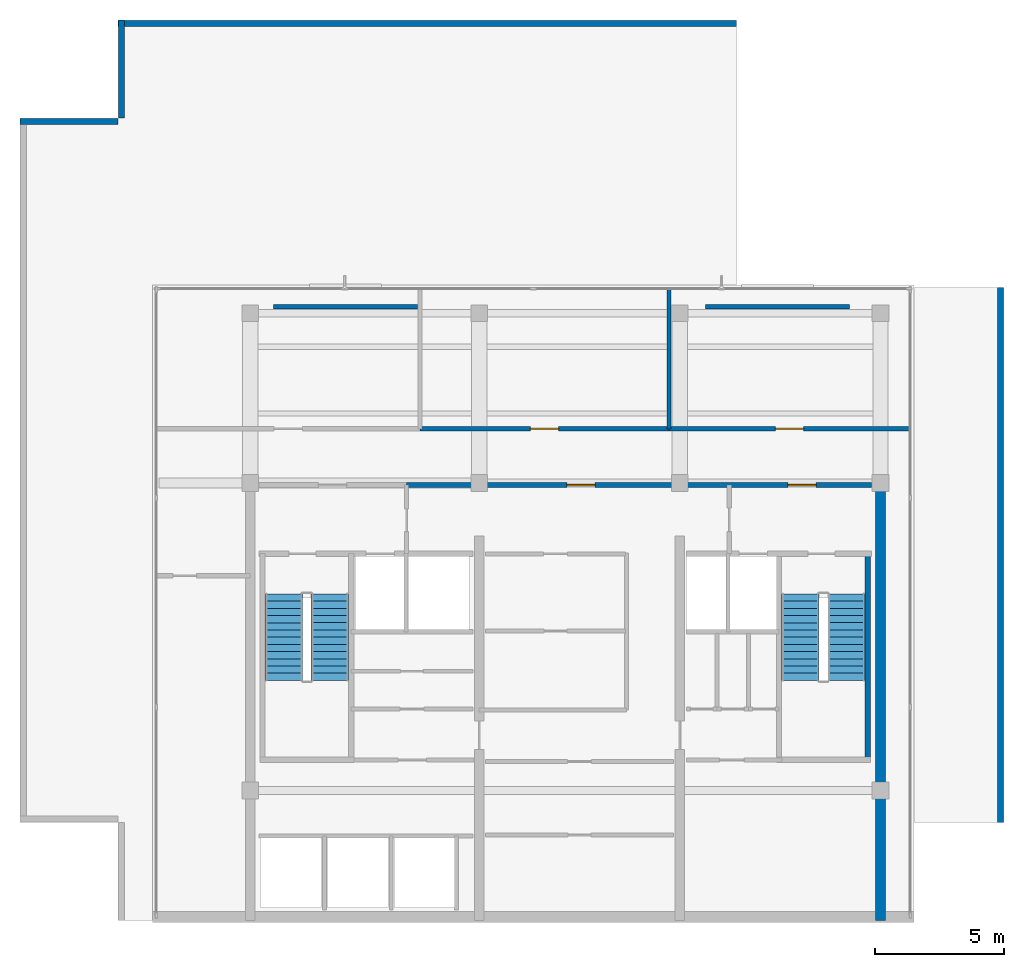
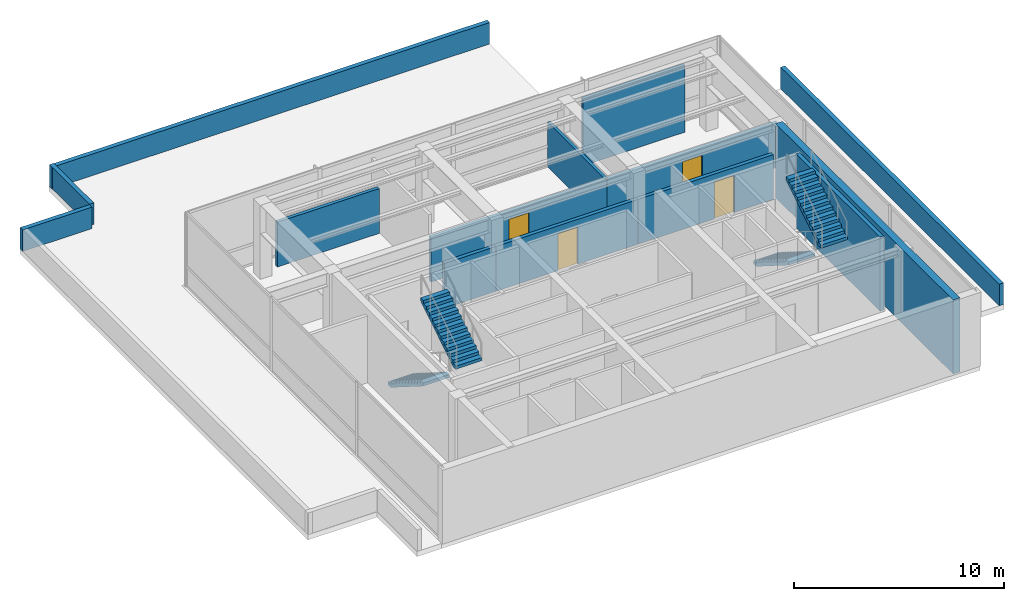
# One storey, part 4 of 6: 14 walls, 4 doors, 4 stair flights, 4 openings, 2 elements without a shape of their own.
"""IFC4 building model written with IfcOpenShell, lengths in metres."""

from ifc_helpers import new_model, si_unit, direction, frame, frame_2d, origin, place, context, subcontext, project, spatial, polyline, rectangle, outline, extrude, material, layer, layer_set, type_object, element, fill, aggregate, save


model = new_model("IFC4")

# Units and contexts
model_context = context("Model", 3, precision=1e-05, world=origin(), true_north=direction((0.0, 1.0)))
body_context = subcontext(model_context, "Body", "Model", "MODEL_VIEW")
ifc_project = project(units=[si_unit("LENGTHUNIT", "METRE"), si_unit("AREAUNIT", "SQUARE_METRE"), si_unit("VOLUMEUNIT", "CUBIC_METRE"), si_unit("PLANEANGLEUNIT", "RADIAN"), si_unit("MASSUNIT", "GRAM", prefix="KILO")], contexts=[model_context])

# Site, building, storey
site_placement = place(None, origin())
site = spatial("IfcSite", under=ifc_project, at=site_placement, CompositionType="ELEMENT")
building_placement = place(site_placement, origin())
building = spatial("IfcBuilding", under=site, at=building_placement, Name="Qalmaran Belvedere Hotel", CompositionType="ELEMENT")
storey_placement = place(building_placement, frame((0.0, 0.0, 298.699951171875)))
storey = spatial("IfcBuildingStorey", under=building, at=storey_placement, Name="C01", CompositionType="ELEMENT", Elevation=298.699951171875)

# Walls
ifc_material_1 = material(Name="Concrete C50/60", Category="concrete")
ifc_layer_1 = layer(ifc_material_1, 0.3798828125, Name="Concrete C50/60")
ifc_layer_set_1 = layer_set([ifc_layer_1], Name="Concrete C50/60")
wall_type_1 = type_object("IfcWallType", Name="WL-CORE-380-C50", PredefinedType="SHEAR", material=ifc_layer_set_1)
wall_1_placement = place(storey_placement, frame((44.800048828125, 3.5, 0.0), z_axis=(0.0, 0.0, 1.0), x_axis=(0.0, 1.0, 0.0)))
element("IfcWall", 1, at=wall_1_placement, inside=storey, type_object=wall_type_1, Name="C01 East Core Shear Wall", PredefinedType="SHEAR", context=body_context, shape_type="SweptSolid", body=[
    extrude(rectangle(XDim=16.89990234375, YDim=0.3798828125, at=frame_2d((8.449951171875, 0.0))), origin(), (0.0, 0.0, 1.0), 4.300048828125),
])
ifc_material_2 = material(Name="Anodised Bronze Cladding")
ifc_layer_2 = layer(ifc_material_2, 0.18505859375, Name="Anodised Bronze Cladding")
ifc_layer_set_2 = layer_set([ifc_layer_2], Name="Anodised Bronze Cladding")
wall_type_2 = type_object("IfcWallType", Name="WL-CRN-SCRN-185", PredefinedType="ELEMENTEDWALL", material=ifc_layer_set_2)
wall_2_placement = place(storey_placement, frame((21.199951171875, 27.35009765625, 0.0), z_axis=(0.0, 0.0, 1.0), x_axis=(1.0, 0.0, 0.0)))
element("IfcWall", 2, at=wall_2_placement, inside=storey, type_object=wall_type_2, Name="C01 Crown Acoustic Screen N1", PredefinedType="ELEMENTEDWALL", context=body_context, shape_type="SweptSolid", body=[
    extrude(rectangle(XDim=5.60009765625, YDim=0.18505859375, at=frame_2d((2.800048828125, 0.0))), origin(), (0.0, 0.0, 1.0), 2.60498046875),
])
wall_3_placement = place(storey_placement, frame((38.0, 27.35009765625, 0.0), z_axis=(0.0, 0.0, 1.0), x_axis=(1.0, 0.0, 0.0)))
element("IfcWall", 3, at=wall_3_placement, inside=storey, type_object=wall_type_2, Name="C01 Crown Acoustic Screen N2", PredefinedType="ELEMENTEDWALL", context=body_context, shape_type="SweptSolid", body=[
    extrude(rectangle(XDim=5.60009765625, YDim=0.18505859375, at=frame_2d((2.800048828125, 0.0))), origin(), (0.0, 0.0, 1.0), 3.885009765625),
])
ifc_material_3 = material(Name="Gypsum Stud Partition")
ifc_layer_3 = layer(ifc_material_3, 0.159912109375, Name="Gypsum Stud Partition")
ifc_layer_set_3 = layer_set([ifc_layer_3], Name="Gypsum Stud Partition")
wall_type_3 = type_object("IfcWallType", Name="WL-INT-160-EI120", PredefinedType="PARTITIONING", material=ifc_layer_set_3)
wall_4_placement = place(storey_placement, frame((36.573974609375, 22.610107421875, 0.0), z_axis=(0.0, 0.0, 1.0), x_axis=(0.0, 1.0, 0.0)))
element("IfcWall", 4, at=wall_4_placement, inside=storey, type_object=wall_type_3, Name="C01 Partition WL-C01-CV2", PredefinedType="PARTITIONING", context=body_context, shape_type="SweptSolid", body=[
    extrude(rectangle(XDim=5.43994140625, YDim=0.159912109375, at=frame_2d((2.719970703125, 0.0))), origin(), (0.0, 0.0, 1.0), 2.60498046875),
])

# Wall, opening, door
ifc_layer_4 = layer(ifc_material_3, 0.179931640625, Name="Gypsum Stud Partition")
ifc_layer_set_4 = layer_set([ifc_layer_4], Name="Gypsum Stud Partition")
wall_type_4 = type_object("IfcWallType", Name="WL-INT-180-EI120", PredefinedType="PARTITIONING", material=ifc_layer_set_4)
wall_5_placement = place(storey_placement, frame((26.905029296875, 22.610107421875, 0.0), z_axis=(0.0, 0.0, 1.0), x_axis=(1.0, 0.0, 0.0)))
wall_5 = element("IfcWall", 5, at=wall_5_placement, inside=storey, type_object=wall_type_4, Name="C01 Partition WL-C01-CCN2", PredefinedType="PARTITIONING", context=body_context, shape_type="SweptSolid", body=[
    extrude(rectangle(XDim=9.6689453125, YDim=0.179931640625, at=frame_2d((4.83447265625, 0.0))), origin(), (0.0, 0.0, 1.0), 2.60498046875),
])
opening_1_placement = place(wall_5_placement, frame((4.284423828125, 0.0, 0.0)))
opening_1 = element("IfcOpeningElement", 6, at=opening_1_placement, cuts=wall_5, Name="Opening FD90", PredefinedType="OPENING", context=body_context, shape_type="SweptSolid", body=[
    extrude(rectangle(XDim=1.10009765625, YDim=2.14990234375, at=frame_2d((0.550048828125, 1.074951171875))), frame((0.0, 0.10009765625, 0.0), z_axis=(0.0, -1.0, 0.0), x_axis=(1.0, 0.0, 0.0)), (0.0, 0.0, 1.0), 0.199951171875),
])
ifc_material_4 = material(Name="Steel S355JR", Category="steel")
door_type = type_object("IfcDoorType", Name="DR-FD90-1100X2150", OperationType="NOTDEFINED", PredefinedType="DOOR", material=ifc_material_4)
door_1_placement = place(opening_1_placement, origin())
door_1 = element("IfcDoor", 7, at=door_1_placement, inside=storey, type_object=door_type, Name="C01 Smoke Extract and AHU Plant Room Door", OperationType="SINGLE_SWING_LEFT", OverallHeight=2.14990234375, OverallWidth=1.10009765625, PredefinedType="DOOR", context=body_context, shape_type="SweptSolid", body=[
    extrude(rectangle(XDim=1.10009765625, YDim=2.14990234375, at=frame_2d((0.550048828125, 1.074951171875))), frame((0.0, 0.02490234375, 0.0), z_axis=(0.0, -1.0, 0.0), x_axis=(1.0, 0.0, 0.0)), (0.0, 0.0, 1.0), 0.050048828125),
])
fill(opening_1, door_1)

wall_6_placement = place(storey_placement, frame((36.573974609375, 22.610107421875, 0.0), z_axis=(0.0, 0.0, 1.0), x_axis=(1.0, 0.0, 0.0)))
wall_6 = element("IfcWall", 8, at=wall_6_placement, inside=storey, type_object=wall_type_4, Name="C01 Partition WL-C01-CCN3", PredefinedType="PARTITIONING", context=body_context, shape_type="SweptSolid", body=[
    extrude(rectangle(XDim=9.3759765625, YDim=0.179931640625, at=frame_2d((4.68798828125, 0.0))), origin(), (0.0, 0.0, 1.0), 2.60498046875),
])
opening_2_placement = place(wall_6_placement, frame((4.137939453125, 0.0, 0.0)))
opening_2 = element("IfcOpeningElement", 9, at=opening_2_placement, cuts=wall_6, Name="Opening FD90", PredefinedType="OPENING", context=body_context, shape_type="SweptSolid", body=[
    extrude(rectangle(XDim=1.10009765625, YDim=2.14990234375, at=frame_2d((0.550048828125, 1.074951171875))), frame((0.0, 0.10009765625, 0.0), z_axis=(0.0, -1.0, 0.0), x_axis=(1.0, 0.0, 0.0)), (0.0, 0.0, 1.0), 0.199951171875),
])
door_2_placement = place(opening_2_placement, origin())
door_2 = element("IfcDoor", 10, at=door_2_placement, inside=storey, type_object=door_type, Name="C01 BMU and Break Tank Plant Room Door", OperationType="SINGLE_SWING_RIGHT", OverallHeight=2.14990234375, OverallWidth=1.10009765625, PredefinedType="DOOR", context=body_context, shape_type="SweptSolid", body=[
    extrude(rectangle(XDim=1.10009765625, YDim=2.14990234375, at=frame_2d((0.550048828125, 1.074951171875))), frame((0.0, 0.02490234375, 0.0), z_axis=(0.0, -1.0, 0.0), x_axis=(1.0, 0.0, 0.0)), (0.0, 0.0, 1.0), 0.050048828125),
])
fill(opening_2, door_2)

# Wall
ifc_material_5 = material(Name="Concrete C30/37 Blockwork", Category="masonry")
ifc_layer_5 = layer(ifc_material_5, 0.199951171875, Name="Concrete C30/37 Blockwork")
ifc_layer_set_5 = layer_set([ifc_layer_5], Name="Concrete C30/37 Blockwork")
wall_type_5 = type_object("IfcWallType", Name="WL-INT-200-EI120", PredefinedType="PARTITIONING", material=ifc_layer_set_5)
wall_7_placement = place(storey_placement, frame((26.3798828125, 20.419921875, 0.0), z_axis=(0.0, 0.0, 1.0), x_axis=(1.0, 0.0, 0.0)))
element("IfcWall", 11, at=wall_7_placement, inside=storey, type_object=wall_type_5, Name="C01 Partition WL-CN1B-C01", PredefinedType="PARTITIONING", context=body_context, shape_type="SweptSolid", body=[
    extrude(rectangle(XDim=2.820068359375, YDim=0.199951171875, at=frame_2d((1.41015625, 0.0))), origin(), (0.0, 0.0, 1.0), 2.60498046875),
])

# Wall, opening, door
wall_8_placement = place(storey_placement, frame((29.199951171875, 20.419921875, 0.0), z_axis=(0.0, 0.0, 1.0), x_axis=(1.0, 0.0, 0.0)))
wall_8 = element("IfcWall", 12, at=wall_8_placement, inside=storey, type_object=wall_type_5, Name="C01 Partition WL-CN2-C01", PredefinedType="PARTITIONING", context=body_context, shape_type="SweptSolid", body=[
    extrude(rectangle(XDim=7.800048828125, YDim=0.199951171875, at=frame_2d((3.89990234375, 0.0))), origin(), (0.0, 0.0, 1.0), 2.60498046875),
])
opening_3_placement = place(wall_8_placement, frame((3.4091796875, 0.0, 0.0)))
opening_3 = element("IfcOpeningElement", 13, at=opening_3_placement, cuts=wall_8, Name="Opening FD90", PredefinedType="OPENING", context=body_context, shape_type="SweptSolid", body=[
    extrude(rectangle(XDim=1.10009765625, YDim=2.14990234375, at=frame_2d((0.550048828125, 1.074951171875))), frame((0.0, 0.10986328125, 0.0), z_axis=(0.0, -1.0, 0.0), x_axis=(1.0, 0.0, 0.0)), (0.0, 0.0, 1.0), 0.219970703125),
])
door_3_placement = place(opening_3_placement, origin())
door_3 = element("IfcDoor", 14, at=door_3_placement, inside=storey, type_object=door_type, Name="C01 Central Lift Lobby Door", OperationType="SINGLE_SWING_LEFT", OverallHeight=2.14990234375, OverallWidth=1.10009765625, PredefinedType="DOOR", context=body_context, shape_type="SweptSolid", body=[
    extrude(rectangle(XDim=1.10009765625, YDim=2.14990234375, at=frame_2d((0.550048828125, 1.074951171875))), frame((0.0, 0.02490234375, 0.0), z_axis=(0.0, -1.0, 0.0), x_axis=(1.0, 0.0, 0.0)), (0.0, 0.0, 1.0), 0.050048828125),
])
fill(opening_3, door_3)

wall_9_placement = place(storey_placement, frame((37.0, 20.419921875, 0.0), z_axis=(0.0, 0.0, 1.0), x_axis=(1.0, 0.0, 0.0)))
wall_9 = element("IfcWall", 15, at=wall_9_placement, inside=storey, type_object=wall_type_5, Name="C01 Partition WL-CN3-C01", PredefinedType="PARTITIONING", context=body_context, shape_type="SweptSolid", body=[
    extrude(rectangle(XDim=7.449951171875, YDim=0.199951171875, at=frame_2d((3.72509765625, 0.0))), origin(), (0.0, 0.0, 1.0), 2.60498046875),
])
opening_4_placement = place(wall_9_placement, frame((4.199951171875, 0.0, 0.0)))
opening_4 = element("IfcOpeningElement", 16, at=opening_4_placement, cuts=wall_9, Name="Opening FD90", PredefinedType="OPENING", context=body_context, shape_type="SweptSolid", body=[
    extrude(rectangle(XDim=1.10009765625, YDim=2.14990234375, at=frame_2d((0.550048828125, 1.074951171875))), frame((0.0, 0.10986328125, 0.0), z_axis=(0.0, -1.0, 0.0), x_axis=(1.0, 0.0, 0.0)), (0.0, 0.0, 1.0), 0.219970703125),
])
door_4_placement = place(opening_4_placement, origin())
door_4 = element("IfcDoor", 17, at=door_4_placement, inside=storey, type_object=door_type, Name="C01 FF2 Lobby Corridor Door", OperationType="SINGLE_SWING_RIGHT", OverallHeight=2.14990234375, OverallWidth=1.10009765625, PredefinedType="DOOR", context=body_context, shape_type="SweptSolid", body=[
    extrude(rectangle(XDim=1.10009765625, YDim=2.14990234375, at=frame_2d((0.550048828125, 1.074951171875))), frame((0.0, 0.02490234375, 0.0), z_axis=(0.0, -1.0, 0.0), x_axis=(1.0, 0.0, 0.0)), (0.0, 0.0, 1.0), 0.050048828125),
])
fill(opening_4, door_4)

# Walls
ifc_material_6 = material(Name="Concrete C40/50", Category="concrete")
ifc_layer_6 = layer(ifc_material_6, 0.239990234375, Name="Concrete C40/50")
ifc_layer_set_6 = layer_set([ifc_layer_6], Name="Concrete C40/50")
wall_type_6 = type_object("IfcWallType", Name="WL-PARAPET-240", PredefinedType="PARAPET", material=ifc_layer_set_6)
wall_10_placement = place(storey_placement, frame((49.4599609375, 7.300048828125, 0.0), z_axis=(0.0, 0.0, 1.0), x_axis=(0.0, 1.0, 0.0)))
element("IfcWall", 18, at=wall_10_placement, inside=storey, type_object=wall_type_6, Name="C01 Roof Parapet 4", PredefinedType="PARAPET", context=body_context, shape_type="SweptSolid", body=[
    extrude(rectangle(XDim=20.800048828125, YDim=0.239990234375, at=frame_2d((10.39990234375, 0.0))), origin(), (0.0, 0.0, 1.0), 1.25),
])
wall_11_placement = place(storey_placement, frame((39.199951171875, 38.360107421875, 0.0), z_axis=(0.0, 0.0, 1.0), x_axis=(-1.0, 0.0, 0.0)))
element("IfcWall", 19, at=wall_11_placement, inside=storey, type_object=wall_type_6, Name="C01 Roof Parapet 7", PredefinedType="PARAPET", context=body_context, shape_type="SweptSolid", body=[
    extrude(rectangle(XDim=24.050048828125, YDim=0.239990234375, at=frame_2d((12.02490234375, 0.0))), origin(), (0.0, 0.0, 1.0), 1.25),
])
wall_12_placement = place(storey_placement, frame((15.2900390625, 38.5, 0.0), z_axis=(0.0, 0.0, 1.0), x_axis=(0.0, -1.0, 0.0)))
element("IfcWall", 20, at=wall_12_placement, inside=storey, type_object=wall_type_6, Name="C01 Roof Parapet 8", PredefinedType="PARAPET", context=body_context, shape_type="SweptSolid", body=[
    extrude(rectangle(XDim=3.800048828125, YDim=0.239990234375, at=frame_2d((1.89990234375, 0.0))), origin(), (0.0, 0.0, 1.0), 1.25),
])
wall_13_placement = place(storey_placement, frame((15.14990234375, 34.56005859375, 0.0), z_axis=(0.0, 0.0, 1.0), x_axis=(-1.0, 0.0, 0.0)))
element("IfcWall", 21, at=wall_13_placement, inside=storey, type_object=wall_type_6, Name="C01 Roof Parapet 9", PredefinedType="PARAPET", context=body_context, shape_type="SweptSolid", body=[
    extrude(rectangle(XDim=3.7998046875, YDim=0.239990234375, at=frame_2d((1.89990234375, 0.0))), origin(), (0.0, 0.0, 1.0), 1.25),
])
ifc_layer_7 = layer(ifc_material_1, 0.2099609375, Name="Concrete C50/60")
ifc_layer_set_7 = layer_set([ifc_layer_7], Name="Concrete C50/60")
wall_type_7 = type_object("IfcWallType", Name="WL-STAIR-210-C50", PredefinedType="SHEAR", material=ifc_layer_set_7)
wall_14_placement = place(storey_placement, frame((44.304931640625, 9.7451171875, 0.0), z_axis=(0.0, 0.0, 1.0), x_axis=(0.0, 1.0, 0.0)))
element("IfcWall", 22, at=wall_14_placement, inside=storey, type_object=wall_type_7, Name="C01 Stair ST-2 East Bearing Wall", PredefinedType="SHEAR", context=body_context, shape_type="SweptSolid", body=[
    extrude(rectangle(XDim=8.009765625, YDim=0.2099609375, at=frame_2d((4.0048828125, 0.0))), origin(), (0.0, 0.0, 1.0), 4.300048828125),
])

# Stair, stair flights
stair_type_1 = type_object("IfcStairType", Name="STR-ST-1-1450-R1769", PredefinedType="HALF_TURN_STAIR", material=ifc_material_6)
stair_1_placement = place(storey_placement, origin())
stair_1 = element("IfcStair", 23, at=stair_1_placement, inside=storey, type_object=stair_type_1, Name="C01 West Core Exit Stair ST-1", PredefinedType="HALF_TURN_STAIR")
ifc_layer_8 = layer(ifc_material_6, 0.14990234375, Name="Concrete C40/50")
ifc_layer_set_8 = layer_set([ifc_layer_8], Name="Concrete C40/50")
stair_flight_type_1 = type_object("IfcStairFlightType", Name="STF-ST-1-1450-R1769", PredefinedType="STRAIGHT", material=ifc_layer_set_8)
stair_flight_1_placement = place(storey_placement, frame((21.60498046875, 16.18994140625, 0.0), z_axis=(0.0, 0.0, 1.0), x_axis=(0.0, -1.0, 0.0)))
stair_flight_1 = element("IfcStairFlight", 24, at=stair_flight_1_placement, type_object=stair_flight_type_1, Name="ST-1 flight 1", NumberOfRisers=13, NumberOfTreads=12, PredefinedType="STRAIGHT", RiserHeight=0.176923077, TreadLength=0.28, context=body_context, shape_type="SweptSolid", body=[
    extrude(outline(polyline([(0.0, 0.0), (0.0, 0.177001953125), (0.280029296875, 0.177001953125), (0.280029296875, 0.353759765625), (0.56005859375, 0.353759765625), (0.56005859375, 0.53076171875), (0.840087890625, 0.53076171875), (0.840087890625, 0.707763671875), (1.1201171875, 0.707763671875), (1.1201171875, 0.884521484375), (1.39990234375, 0.884521484375), (1.39990234375, 1.0615234375), (1.679931640625, 1.0615234375), (1.679931640625, 1.238525390625), (1.9599609375, 1.238525390625), (1.9599609375, 1.415283203125), (2.239990234375, 1.415283203125), (2.239990234375, 1.59228515625), (2.52001953125, 1.59228515625), (2.52001953125, 1.769287109375), (2.800048828125, 1.769287109375), (2.800048828125, 1.946044921875), (3.080078125, 1.946044921875), (3.080078125, 2.123046875), (3.360107421875, 2.123046875), (3.360107421875, 2.300048828125), (3.360107421875, 1.94580078125), (0.280517578125, 0.0), (0.0, 0.0)])), frame((0.0, 0.72509765625, 0.0), z_axis=(0.0, -1.0, 0.0), x_axis=(1.0, 0.0, 0.0)), (0.0, 0.0, 1.0), 1.449951171875),
])
stair_flight_2_placement = place(storey_placement, frame((23.39501953125, 12.830078125, 2.300048828125), z_axis=(0.0, 0.0, 1.0), x_axis=(0.0, 1.0, 0.0)))
stair_flight_2 = element("IfcStairFlight", 25, at=stair_flight_2_placement, type_object=stair_flight_type_1, Name="ST-1 flight 2", NumberOfRisers=13, NumberOfTreads=12, PredefinedType="STRAIGHT", RiserHeight=0.176923077, TreadLength=0.28, context=body_context, shape_type="SweptSolid", body=[
    extrude(outline(polyline([(0.0, 0.0), (0.0, 0.177001953125), (0.280029296875, 0.177001953125), (0.280029296875, 0.353759765625), (0.56005859375, 0.353759765625), (0.56005859375, 0.53076171875), (0.840087890625, 0.53076171875), (0.840087890625, 0.707763671875), (1.1201171875, 0.707763671875), (1.1201171875, 0.884521484375), (1.39990234375, 0.884521484375), (1.39990234375, 1.0615234375), (1.679931640625, 1.0615234375), (1.679931640625, 1.238525390625), (1.9599609375, 1.238525390625), (1.9599609375, 1.415283203125), (2.239990234375, 1.415283203125), (2.239990234375, 1.59228515625), (2.52001953125, 1.59228515625), (2.52001953125, 1.769287109375), (2.800048828125, 1.769287109375), (2.800048828125, 1.946044921875), (3.080078125, 1.946044921875), (3.080078125, 2.123046875), (3.360107421875, 2.123046875), (3.360107421875, 2.300048828125), (3.360107421875, 1.94580078125), (0.280517578125, 0.0), (0.0, 0.0)])), frame((0.0, 0.72509765625, 0.0), z_axis=(0.0, -1.0, 0.0), x_axis=(1.0, 0.0, 0.0)), (0.0, 0.0, 1.0), 1.449951171875),
])
aggregate(stair_1, [stair_flight_1, stair_flight_2])

stair_type_2 = type_object("IfcStairType", Name="STR-ST-2-1450-R1769", PredefinedType="HALF_TURN_STAIR", material=ifc_material_6)
stair_2_placement = place(storey_placement, origin())
stair_2 = element("IfcStair", 26, at=stair_2_placement, inside=storey, type_object=stair_type_2, Name="C01 East Core Exit Stair ST-2", PredefinedType="HALF_TURN_STAIR")
ifc_layer_9 = layer(ifc_material_6, 0.14990234375, Name="Concrete C40/50")
ifc_layer_set_9 = layer_set([ifc_layer_9], Name="Concrete C40/50")
stair_flight_type_2 = type_object("IfcStairFlightType", Name="STF-ST-2-1450-R1769", PredefinedType="STRAIGHT", material=ifc_layer_set_9)
stair_flight_3_placement = place(storey_placement, frame((41.68505859375, 16.18994140625, 0.0), z_axis=(0.0, 0.0, 1.0), x_axis=(0.0, -1.0, 0.0)))
stair_flight_3 = element("IfcStairFlight", 27, at=stair_flight_3_placement, type_object=stair_flight_type_2, Name="ST-2 flight 1", NumberOfRisers=13, NumberOfTreads=12, PredefinedType="STRAIGHT", RiserHeight=0.176923077, TreadLength=0.28, context=body_context, shape_type="SweptSolid", body=[
    extrude(outline(polyline([(0.0, 0.0), (0.0, 0.177001953125), (0.280029296875, 0.177001953125), (0.280029296875, 0.353759765625), (0.56005859375, 0.353759765625), (0.56005859375, 0.53076171875), (0.840087890625, 0.53076171875), (0.840087890625, 0.707763671875), (1.1201171875, 0.707763671875), (1.1201171875, 0.884521484375), (1.39990234375, 0.884521484375), (1.39990234375, 1.0615234375), (1.679931640625, 1.0615234375), (1.679931640625, 1.238525390625), (1.9599609375, 1.238525390625), (1.9599609375, 1.415283203125), (2.239990234375, 1.415283203125), (2.239990234375, 1.59228515625), (2.52001953125, 1.59228515625), (2.52001953125, 1.769287109375), (2.800048828125, 1.769287109375), (2.800048828125, 1.946044921875), (3.080078125, 1.946044921875), (3.080078125, 2.123046875), (3.360107421875, 2.123046875), (3.360107421875, 2.300048828125), (3.360107421875, 1.94580078125), (0.280517578125, 0.0), (0.0, 0.0)])), frame((0.0, 0.72509765625, 0.0), z_axis=(0.0, -1.0, 0.0), x_axis=(1.0, 0.0, 0.0)), (0.0, 0.0, 1.0), 1.449951171875),
])
stair_flight_4_placement = place(storey_placement, frame((43.47509765625, 12.830078125, 2.300048828125), z_axis=(0.0, 0.0, 1.0), x_axis=(0.0, 1.0, 0.0)))
stair_flight_4 = element("IfcStairFlight", 28, at=stair_flight_4_placement, type_object=stair_flight_type_2, Name="ST-2 flight 2", NumberOfRisers=13, NumberOfTreads=12, PredefinedType="STRAIGHT", RiserHeight=0.176923077, TreadLength=0.28, context=body_context, shape_type="SweptSolid", body=[
    extrude(outline(polyline([(0.0, 0.0), (0.0, 0.177001953125), (0.280029296875, 0.177001953125), (0.280029296875, 0.353759765625), (0.56005859375, 0.353759765625), (0.56005859375, 0.53076171875), (0.840087890625, 0.53076171875), (0.840087890625, 0.707763671875), (1.1201171875, 0.707763671875), (1.1201171875, 0.884521484375), (1.39990234375, 0.884521484375), (1.39990234375, 1.0615234375), (1.679931640625, 1.0615234375), (1.679931640625, 1.238525390625), (1.9599609375, 1.238525390625), (1.9599609375, 1.415283203125), (2.239990234375, 1.415283203125), (2.239990234375, 1.59228515625), (2.52001953125, 1.59228515625), (2.52001953125, 1.769287109375), (2.800048828125, 1.769287109375), (2.800048828125, 1.946044921875), (3.080078125, 1.946044921875), (3.080078125, 2.123046875), (3.360107421875, 2.123046875), (3.360107421875, 2.300048828125), (3.360107421875, 1.94580078125), (0.280517578125, 0.0), (0.0, 0.0)])), frame((0.0, 0.72509765625, 0.0), z_axis=(0.0, -1.0, 0.0), x_axis=(1.0, 0.0, 0.0)), (0.0, 0.0, 1.0), 1.449951171875),
])
aggregate(stair_2, [stair_flight_3, stair_flight_4])

save(model, "model.ifc")
